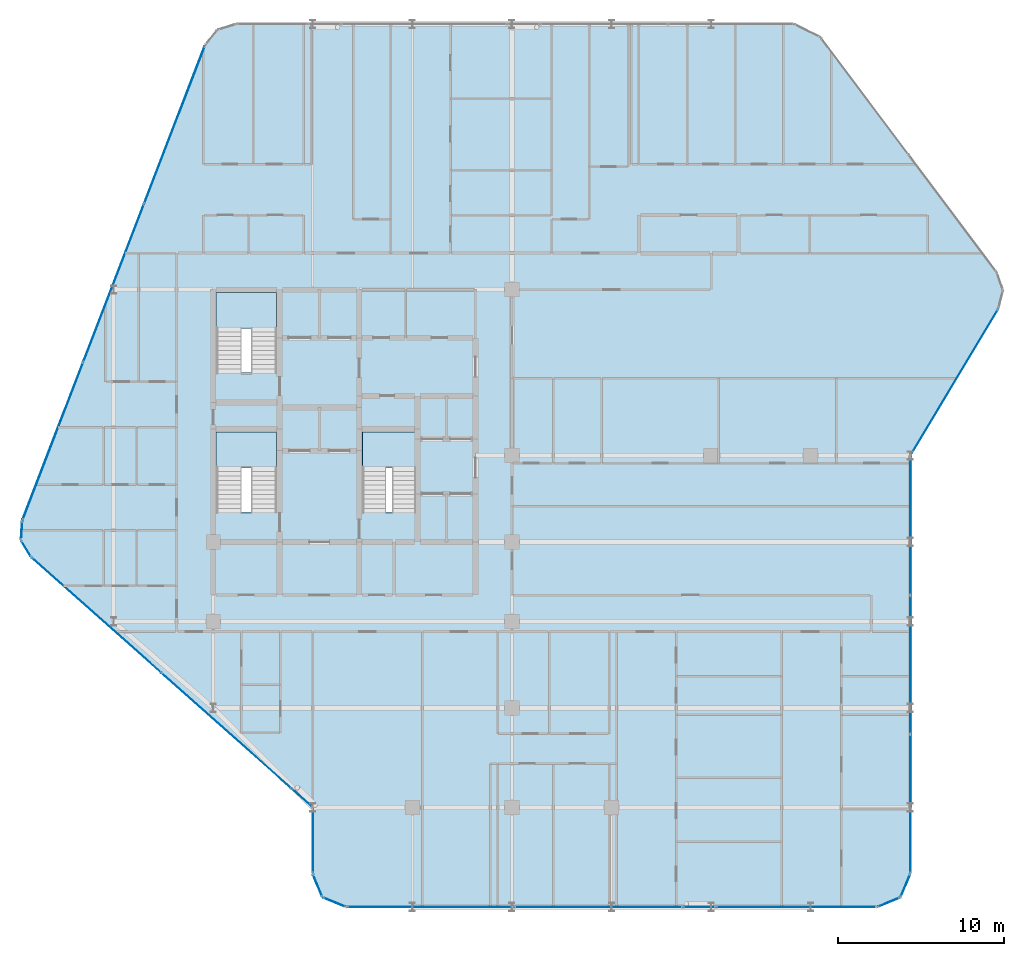
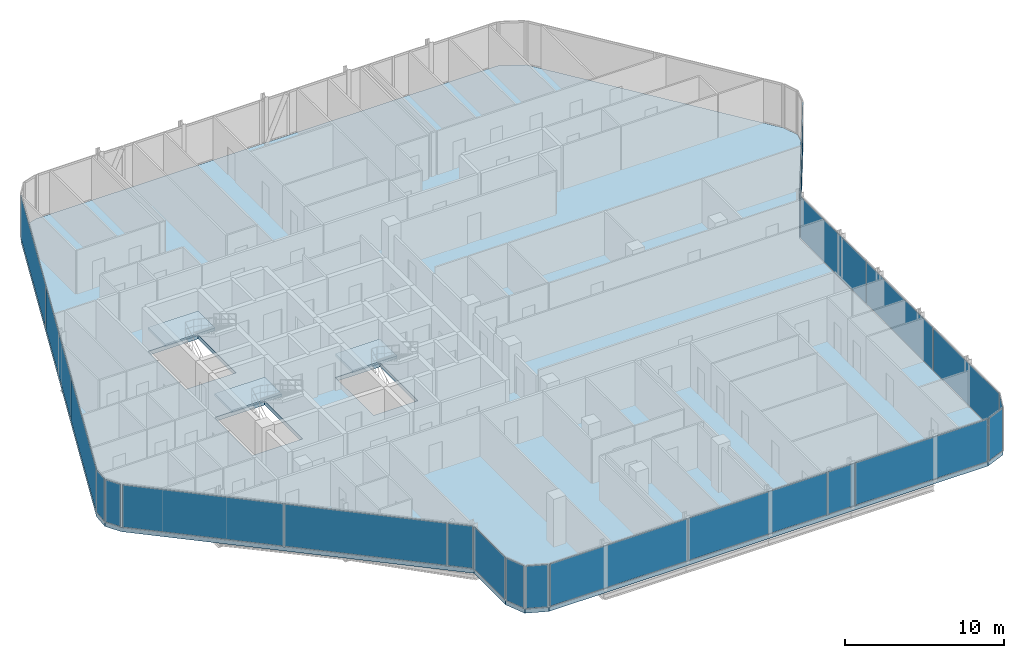
# One storey, part 23 of 31: 21 plates, 4 slabs, 18 elements without a shape of their own.
"""IFC4 building model written with IfcOpenShell, lengths in metres."""

from ifc_helpers import new_model, si_unit, direction, frame, origin, origin_2d, place, context, subcontext, project, spatial, polyline, rectangle, outline, extrude, material, layer, layer_set, type_object, element, aggregate, save


model = new_model("IFC4")

# Units and contexts
model_context = context("Model", 3, precision=1e-05, world=origin(), true_north=direction((0.0, 1.0)))
body_context = subcontext(model_context, "Body", "Model", "MODEL_VIEW")
ifc_project = project(units=[si_unit("LENGTHUNIT", "METRE"), si_unit("AREAUNIT", "SQUARE_METRE"), si_unit("VOLUMEUNIT", "CUBIC_METRE"), si_unit("PLANEANGLEUNIT", "RADIAN"), si_unit("MASSUNIT", "GRAM", prefix="KILO")], contexts=[model_context])

# Site, building, storey
site_placement = place(None, origin())
site = spatial("IfcSite", under=ifc_project, at=site_placement, CompositionType="ELEMENT")
building_placement = place(site_placement, origin())
building = spatial("IfcBuilding", under=site, at=building_placement, Name="Keshet Zoharim Tower", CompositionType="ELEMENT")
storey_placement = place(building_placement, frame((0.0, 0.0, 129.800048828125)))
storey = spatial("IfcBuildingStorey", under=building, at=storey_placement, Name="L31", CompositionType="ELEMENT", Elevation=129.800048828125)

# Curtain wall, plate
ifc_material_1 = material(Name="Aluminium 6063-T6", Category="aluminium")
ifc_layer_1 = layer(ifc_material_1, 0.159912109375)
ifc_layer_set_1 = layer_set([ifc_layer_1], Name="Aluminium 6063-T6")
curtain_wall_type = type_object("IfcCurtainWallType", Name="CW-SYS-03", PredefinedType="NOTDEFINED", material=ifc_layer_set_1)
curtain_wall_1_placement = place(storey_placement, origin())
curtain_wall_1 = element("IfcCurtainWall", 1, at=curtain_wall_1_placement, inside=storey, type_object=curtain_wall_type, Name="L31 Unitised Curtain Wall 01", PredefinedType="NOTDEFINED")
ifc_material_2 = material(Name="Insulated Low-E Clear Glass", Category="glass")
ifc_layer_2 = layer(ifc_material_2, 0.035888671875)
ifc_layer_set_2 = layer_set([ifc_layer_2], Name="Insulated Low-E Clear Glass")
plate_type_1 = type_object("IfcPlateType", Name="CWP-01", PredefinedType="CURTAIN_PANEL", material=ifc_layer_set_2)
plate_1_placement = place(storey_placement, frame((56.70703125, 1.992919921875, 0.06982421875), z_axis=(0.0, 0.0, 1.0), x_axis=(-0.382851849847, -0.92380975372, 0.0)))
plate_1 = element("IfcPlate", 2, at=plate_1_placement, type_object=plate_type_1, Name="CW-03 panel 1.1", PredefinedType="CURTAIN_PANEL", context=body_context, shape_type="SweptSolid", body=[
    extrude(rectangle(XDim=1.390625, YDim=0.035888671875, at=origin_2d()), origin(), (0.0, 0.0, 1.0), 3.2451171875),
])
aggregate(curtain_wall_1, [plate_1])

curtain_wall_2_placement = place(storey_placement, origin())
curtain_wall_2 = element("IfcCurtainWall", 3, at=curtain_wall_2_placement, inside=storey, type_object=curtain_wall_type, Name="L31 Unitised Curtain Wall 02", PredefinedType="NOTDEFINED")
plate_2_placement = place(storey_placement, frame((55.70703125, 0.992919921875, 0.06982421875), z_axis=(0.0, 0.0, 1.0), x_axis=(-0.92380975372, -0.382851849847, 0.0)))
plate_2 = element("IfcPlate", 4, at=plate_2_placement, type_object=plate_type_1, Name="CW-03 panel 1.1", PredefinedType="CURTAIN_PANEL", context=body_context, shape_type="SweptSolid", body=[
    extrude(rectangle(XDim=1.390625, YDim=0.035888671875, at=origin_2d()), origin(), (0.0, 0.0, 1.0), 3.2451171875),
])
aggregate(curtain_wall_2, [plate_2])

curtain_wall_3_placement = place(storey_placement, origin())
curtain_wall_3 = element("IfcCurtainWall", 5, at=curtain_wall_3_placement, inside=storey, type_object=curtain_wall_type, Name="L31 Unitised Curtain Wall 03", PredefinedType="NOTDEFINED")
plate_3_placement = place(storey_placement, frame((50.1240234375, 0.699951171875, 0.06982421875), z_axis=(0.0, 0.0, 1.0), x_axis=(-1.0, 0.0, 0.0)))
plate_3 = element("IfcPlate", 6, at=plate_3_placement, type_object=plate_type_1, Name="CW-03 panel 1.1", PredefinedType="CURTAIN_PANEL", context=body_context, shape_type="SweptSolid", body=[
    extrude(rectangle(XDim=9.61181640625, YDim=0.035888671875, at=origin_2d()), origin(), (0.0, 0.0, 1.0), 3.2451171875),
])
aggregate(curtain_wall_3, [plate_3])

# Curtain wall, plates
curtain_wall_4_placement = place(storey_placement, origin())
curtain_wall_4 = element("IfcCurtainWall", 7, at=curtain_wall_4_placement, inside=storey, type_object=curtain_wall_type, Name="L31 Unitised Curtain Wall 03 Part 3", PredefinedType="NOTDEFINED")
plate_4_placement = place(storey_placement, frame((38.20654296875, 0.699951171875, 0.06982421875), z_axis=(0.0, 0.0, 1.0), x_axis=(-1.0, 0.0, 0.0)))
plate_4 = element("IfcPlate", 8, at=plate_4_placement, type_object=plate_type_1, Name="CW-03 panel 1.1", PredefinedType="CURTAIN_PANEL", context=body_context, shape_type="SweptSolid", body=[
    extrude(rectangle(XDim=10.091064453125, YDim=0.035888671875, at=origin_2d()), origin(), (0.0, 0.0, 1.0), 3.2451171875),
])
plate_5_placement = place(storey_placement, frame((28.08056640625, 0.699951171875, 0.06982421875), z_axis=(0.0, 0.0, 1.0), x_axis=(-1.0, 0.0, 0.0)))
plate_5 = element("IfcPlate", 9, at=plate_5_placement, type_object=plate_type_1, Name="CW-03 panel 2.1", PredefinedType="CURTAIN_PANEL", context=body_context, shape_type="SweptSolid", body=[
    extrude(rectangle(XDim=10.02099609375, YDim=0.035888671875, at=origin_2d()), origin(), (0.0, 0.0, 1.0), 3.2451171875),
])
aggregate(curtain_wall_4, [plate_4, plate_5])

# Curtain wall, plate
curtain_wall_5_placement = place(storey_placement, origin())
curtain_wall_5 = element("IfcCurtainWall", 10, at=curtain_wall_5_placement, inside=storey, type_object=curtain_wall_type, Name="L31 Unitised Curtain Wall 04", PredefinedType="NOTDEFINED")
plate_6_placement = place(storey_placement, frame((22.29296875, 0.992919921875, 0.06982421875), z_axis=(0.0, 0.0, 1.0), x_axis=(-0.92380975372, 0.382851849847, 0.0)))
plate_6 = element("IfcPlate", 11, at=plate_6_placement, type_object=plate_type_1, Name="CW-03 panel 1.1", PredefinedType="CURTAIN_PANEL", context=body_context, shape_type="SweptSolid", body=[
    extrude(rectangle(XDim=1.390625, YDim=0.035888671875, at=origin_2d()), origin(), (0.0, 0.0, 1.0), 3.2451171875),
])
aggregate(curtain_wall_5, [plate_6])

curtain_wall_6_placement = place(storey_placement, origin())
curtain_wall_6 = element("IfcCurtainWall", 12, at=curtain_wall_6_placement, inside=storey, type_object=curtain_wall_type, Name="L31 Unitised Curtain Wall 05", PredefinedType="NOTDEFINED")
plate_7_placement = place(storey_placement, frame((21.29296875, 1.992919921875, 0.06982421875), z_axis=(0.0, 0.0, 1.0), x_axis=(-0.382851849847, 0.92380975372, 0.0)))
plate_7 = element("IfcPlate", 13, at=plate_7_placement, type_object=plate_type_1, Name="CW-03 panel 1.1", PredefinedType="CURTAIN_PANEL", context=body_context, shape_type="SweptSolid", body=[
    extrude(rectangle(XDim=1.390625, YDim=0.035888671875, at=origin_2d()), origin(), (0.0, 0.0, 1.0), 3.2451171875),
])
aggregate(curtain_wall_6, [plate_7])

curtain_wall_7_placement = place(storey_placement, origin())
curtain_wall_7 = element("IfcCurtainWall", 14, at=curtain_wall_7_placement, inside=storey, type_object=curtain_wall_type, Name="L31 Unitised Curtain Wall 06", PredefinedType="NOTDEFINED")
plate_8_placement = place(storey_placement, frame((21.0, 4.699951171875, 0.06982421875), z_axis=(0.0, 0.0, 1.0), x_axis=(0.0, 1.0, 0.0)))
plate_8 = element("IfcPlate", 15, at=plate_8_placement, type_object=plate_type_1, Name="CW-03 panel 1.1", PredefinedType="CURTAIN_PANEL", context=body_context, shape_type="SweptSolid", body=[
    extrude(rectangle(XDim=3.860107421875, YDim=0.035888671875, at=origin_2d()), origin(), (0.0, 0.0, 1.0), 3.2451171875),
])
aggregate(curtain_wall_7, [plate_8])

# Curtain wall, plates
curtain_wall_8_placement = place(storey_placement, origin())
curtain_wall_8 = element("IfcCurtainWall", 16, at=curtain_wall_8_placement, inside=storey, type_object=curtain_wall_type, Name="L31 Unitised Curtain Wall 07 Part 2", PredefinedType="NOTDEFINED")
plate_9_placement = place(storey_placement, frame((15.79296875, 11.328369140625, 0.06982421875), z_axis=(0.0, 0.0, 1.0), x_axis=(-0.747409582009, 0.664363542589, 0.0)))
plate_9 = element("IfcPlate", 17, at=plate_9_placement, type_object=plate_type_1, Name="CW-03 panel 1.1", PredefinedType="CURTAIN_PANEL", context=body_context, shape_type="SweptSolid", body=[
    extrude(rectangle(XDim=10.441162109375, YDim=0.035888671875, at=origin_2d()), origin(), (0.0, 0.0, 1.0), 3.2451171875),
])
plate_10_placement = place(storey_placement, frame((7.963134765625, 18.288330078125, 0.06982421875), z_axis=(0.0, 0.0, 1.0), x_axis=(-0.747409582009, 0.664363542589, 0.0)))
plate_10 = element("IfcPlate", 18, at=plate_10_placement, type_object=plate_type_1, Name="CW-03 panel 2.1", PredefinedType="CURTAIN_PANEL", context=body_context, shape_type="SweptSolid", body=[
    extrude(rectangle(XDim=10.37109375, YDim=0.035888671875, at=origin_2d()), origin(), (0.0, 0.0, 1.0), 3.2451171875),
])
aggregate(curtain_wall_8, [plate_9, plate_10])

# Curtain wall, plate
curtain_wall_9_placement = place(storey_placement, origin())
curtain_wall_9 = element("IfcCurtainWall", 19, at=curtain_wall_9_placement, inside=storey, type_object=curtain_wall_type, Name="L31 Unitised Curtain Wall 08", PredefinedType="NOTDEFINED")
plate_11_placement = place(storey_placement, frame((3.7275390625, 22.291015625, 0.06982421875), z_axis=(0.0, 0.0, 1.0), x_axis=(-0.515604947933, 0.856826433805, 0.0)))
plate_11 = element("IfcPlate", 20, at=plate_11_placement, type_object=plate_type_1, Name="CW-03 panel 1.1", PredefinedType="CURTAIN_PANEL", context=body_context, shape_type="SweptSolid", body=[
    extrude(rectangle(XDim=1.052734375, YDim=0.035888671875, at=origin_2d()), origin(), (0.0, 0.0, 1.0), 3.2451171875),
])
aggregate(curtain_wall_9, [plate_11])

curtain_wall_10_placement = place(storey_placement, origin())
curtain_wall_10 = element("IfcCurtainWall", 21, at=curtain_wall_10_placement, inside=storey, type_object=curtain_wall_type, Name="L31 Unitised Curtain Wall 09", PredefinedType="NOTDEFINED")
plate_12_placement = place(storey_placement, frame((3.45849609375, 23.3974609375, 0.06982421875), z_axis=(0.0, 0.0, 1.0), x_axis=(0.064516859374, 0.997916617186, 0.0)))
plate_12 = element("IfcPlate", 22, at=plate_12_placement, type_object=plate_type_1, Name="CW-03 panel 1.1", PredefinedType="CURTAIN_PANEL", context=body_context, shape_type="SweptSolid", body=[
    extrude(rectangle(XDim=1.053466796875, YDim=0.035888671875, at=origin_2d()), origin(), (0.0, 0.0, 1.0), 3.2451171875),
])
aggregate(curtain_wall_10, [plate_12])

# Curtain wall, plates
curtain_wall_11_placement = place(storey_placement, origin())
curtain_wall_11 = element("IfcCurtainWall", 23, at=curtain_wall_11_placement, inside=storey, type_object=curtain_wall_type, Name="L31 Unitised Curtain Wall 10", PredefinedType="NOTDEFINED")
plate_13_placement = place(storey_placement, frame((5.33837890625, 28.7802734375, 0.06982421875), z_axis=(0.0, 0.0, 1.0), x_axis=(0.358990003907, 0.933341404361, 0.0)))
plate_13 = element("IfcPlate", 24, at=plate_13_placement, type_object=plate_type_1, Name="CW-03 panel 1.1", PredefinedType="CURTAIN_PANEL", context=body_context, shape_type="SweptSolid", body=[
    extrude(rectangle(XDim=10.1181640625, YDim=0.035888671875, at=origin_2d()), origin(), (0.0, 0.0, 1.0), 3.2451171875),
])
plate_14_placement = place(storey_placement, frame((9.001953125, 38.305419921875, 0.06982421875), z_axis=(0.0, 0.0, 1.0), x_axis=(0.358990003907, 0.933341404361, 0.0)))
plate_14 = element("IfcPlate", 25, at=plate_14_placement, type_object=plate_type_1, Name="CW-03 panel 2.1", PredefinedType="CURTAIN_PANEL", context=body_context, shape_type="SweptSolid", body=[
    extrude(rectangle(XDim=10.153076171875, YDim=0.035888671875, at=origin_2d()), origin(), (0.0, 0.0, 1.0), 3.2451171875),
])
plate_15_placement = place(storey_placement, frame((12.665771484375, 47.830810546875, 0.06982421875), z_axis=(0.0, 0.0, 1.0), x_axis=(0.358990003907, 0.933341404361, 0.0)))
plate_15 = element("IfcPlate", 26, at=plate_15_placement, type_object=plate_type_1, Name="CW-03 panel 3.1", PredefinedType="CURTAIN_PANEL", context=body_context, shape_type="SweptSolid", body=[
    extrude(rectangle(XDim=10.1181640625, YDim=0.035888671875, at=origin_2d()), origin(), (0.0, 0.0, 1.0), 3.2451171875),
])
aggregate(curtain_wall_11, [plate_13, plate_14, plate_15])

# Curtain wall, plate
curtain_wall_12_placement = place(storey_placement, origin())
curtain_wall_12 = element("IfcCurtainWall", 27, at=curtain_wall_12_placement, inside=storey, type_object=curtain_wall_type, Name="L31 Unitised Curtain Wall 18", PredefinedType="NOTDEFINED")
plate_16_placement = place(storey_placement, frame((59.654052734375, 32.323486328125, 0.06982421875), z_axis=(0.0, 0.0, 1.0), x_axis=(-0.514481501576, -0.857501477862, 0.0)))
plate_16 = element("IfcPlate", 28, at=plate_16_placement, type_object=plate_type_1, Name="CW-03 panel 1.1", PredefinedType="CURTAIN_PANEL", context=body_context, shape_type="SweptSolid", body=[
    extrude(rectangle(XDim=10.17724609375, YDim=0.035888671875, at=origin_2d()), origin(), (0.0, 0.0, 1.0), 3.2451171875),
])
aggregate(curtain_wall_12, [plate_16])

# Curtain wall, plates
curtain_wall_13_placement = place(storey_placement, origin())
curtain_wall_13 = element("IfcCurtainWall", 29, at=curtain_wall_13_placement, inside=storey, type_object=curtain_wall_type, Name="L31 Unitised Curtain Wall 19", PredefinedType="NOTDEFINED")
ifc_layer_3 = layer(ifc_material_2, 0.031982421875)
ifc_layer_set_3 = layer_set([ifc_layer_3], Name="Insulated Low-E Clear Glass")
plate_type_2 = type_object("IfcPlateType", Name="CWP-02", PredefinedType="CURTAIN_PANEL", material=ifc_layer_set_3)
plate_17_placement = place(storey_placement, frame((57.0, 23.6826171875, 0.06982421875), z_axis=(0.0, 0.0, 1.0), x_axis=(0.0, -1.0, 0.0)))
plate_17 = element("IfcPlate", 30, at=plate_17_placement, type_object=plate_type_2, Name="CW-03 panel 1.1", PredefinedType="CURTAIN_PANEL", context=body_context, shape_type="SweptSolid", body=[
    extrude(rectangle(XDim=8.294921875, YDim=0.031982421875, at=origin_2d()), origin(), (0.0, 0.0, 1.0), 3.2451171875),
])
plate_18_placement = place(storey_placement, frame((57.0, 15.300048828125, 0.06982421875), z_axis=(0.0, 0.0, 1.0), x_axis=(0.0, -1.0, 0.0)))
plate_18 = element("IfcPlate", 31, at=plate_18_placement, type_object=plate_type_2, Name="CW-03 panel 2.1", PredefinedType="CURTAIN_PANEL", context=body_context, shape_type="SweptSolid", body=[
    extrude(rectangle(XDim=8.330078125, YDim=0.031982421875, at=origin_2d()), origin(), (0.0, 0.0, 1.0), 3.2451171875),
])
plate_19_placement = place(storey_placement, frame((57.0, 6.91748046875, 0.06982421875), z_axis=(0.0, 0.0, 1.0), x_axis=(0.0, -1.0, 0.0)))
plate_19 = element("IfcPlate", 32, at=plate_19_placement, type_object=plate_type_2, Name="CW-03 panel 3.1", PredefinedType="CURTAIN_PANEL", context=body_context, shape_type="SweptSolid", body=[
    extrude(rectangle(XDim=8.294921875, YDim=0.031982421875, at=origin_2d()), origin(), (0.0, 0.0, 1.0), 3.2451171875),
])
aggregate(curtain_wall_13, [plate_17, plate_18, plate_19])

# Curtain wall, plate
curtain_wall_14_placement = place(storey_placement, origin())
curtain_wall_14 = element("IfcCurtainWall", 33, at=curtain_wall_14_placement, inside=storey, type_object=curtain_wall_type, Name="L31 Unitised Curtain Wall 03 Part 2", PredefinedType="NOTDEFINED")
ifc_material_3 = material(Name="Insulated Aluminium Spandrel Panel", Category="aluminium")
ifc_layer_4 = layer(ifc_material_3, 0.035888671875)
ifc_layer_set_4 = layer_set([ifc_layer_4], Name="Insulated Aluminium Spandrel Panel")
plate_type_3 = type_object("IfcPlateType", Name="CWP-04", PredefinedType="CURTAIN_PANEL", material=ifc_layer_set_4)
plate_20_placement = place(storey_placement, frame((44.284912109375, 0.699951171875, 0.06982421875), z_axis=(0.0, 0.0, 1.0), x_axis=(-1.0, 0.0, 0.0)))
plate_20 = element("IfcPlate", 34, at=plate_20_placement, type_object=plate_type_3, Name="CW-03 spandrel panel 1.1", PredefinedType="CURTAIN_PANEL", context=body_context, shape_type="SweptSolid", body=[
    extrude(rectangle(XDim=1.92626953125, YDim=0.035888671875, at=origin_2d()), origin(), (0.0, 0.0, 1.0), 3.2451171875),
])
aggregate(curtain_wall_14, [plate_20])

curtain_wall_15_placement = place(storey_placement, origin())
curtain_wall_15 = element("IfcCurtainWall", 35, at=curtain_wall_15_placement, inside=storey, type_object=curtain_wall_type, Name="L31 Unitised Curtain Wall 07", PredefinedType="NOTDEFINED")
plate_21_placement = place(storey_placement, frame((20.347412109375, 7.280029296875, 0.06982421875), z_axis=(0.0, 0.0, 1.0), x_axis=(-0.747406159057, 0.664367393393, 0.0)))
plate_21 = element("IfcPlate", 36, at=plate_21_placement, type_object=plate_type_3, Name="CW-03 spandrel panel 1.1", PredefinedType="CURTAIN_PANEL", context=body_context, shape_type="SweptSolid", body=[
    extrude(rectangle(XDim=1.606201171875, YDim=0.035888671875, at=origin_2d()), origin(), (0.0, 0.0, 1.0), 3.2451171875),
])
aggregate(curtain_wall_15, [plate_21])

# Stair, slab
ifc_material_4 = material(Name="Concrete C50/60", Category="concrete")
stair_type = type_object("IfcStairType", Name="STR-EXIT-135", PredefinedType="HALF_TURN_STAIR", material=ifc_material_4)
stair_1_placement = place(storey_placement, origin())
stair_1 = element("IfcStair", 37, at=stair_1_placement, inside=storey, type_object=stair_type, Name="L31 Enclosed Exit Stair ST-01", PredefinedType="HALF_TURN_STAIR")
ifc_layer_5 = layer(ifc_material_4, 0.199951171875)
ifc_layer_set_5 = layer_set([ifc_layer_5], Name="Concrete C50/60")
slab_type_1 = type_object("IfcSlabType", Name="SLB-LND-200", PredefinedType="LANDING", material=ifc_layer_set_5)
slab_1_placement = place(storey_placement, frame((0.0, 0.0, 1.64990234375)))
slab_1 = element("IfcSlab", 38, at=slab_1_placement, type_object=slab_type_1, Name="ST-01 landing 1", PredefinedType="LANDING", context=body_context, shape_type="SweptSolid", body=[
    extrude(outline(polyline([(15.179931640625, 27.159912109375), (18.820068359375, 27.159912109375), (18.820068359375, 29.320068359375), (15.179931640625, 29.320068359375), (15.179931640625, 27.159912109375)])), origin(), (0.0, 0.0, 1.0), 0.199951171875),
])
aggregate(stair_1, [slab_1])

stair_2_placement = place(storey_placement, origin())
stair_2 = element("IfcStair", 39, at=stair_2_placement, inside=storey, type_object=stair_type, Name="L31 Enclosed Exit Stair ST-02", PredefinedType="HALF_TURN_STAIR")
slab_2_placement = place(storey_placement, frame((0.0, 0.0, 1.64990234375)))
slab_2 = element("IfcSlab", 40, at=slab_2_placement, type_object=slab_type_1, Name="ST-02 landing 1", PredefinedType="LANDING", context=body_context, shape_type="SweptSolid", body=[
    extrude(outline(polyline([(15.179931640625, 35.56005859375), (18.820068359375, 35.56005859375), (18.820068359375, 37.719970703125), (15.179931640625, 37.719970703125), (15.179931640625, 35.56005859375)])), origin(), (0.0, 0.0, 1.0), 0.199951171875),
])
aggregate(stair_2, [slab_2])

stair_3_placement = place(storey_placement, origin())
stair_3 = element("IfcStair", 41, at=stair_3_placement, inside=storey, type_object=stair_type, Name="L31 Enclosed Exit Stair ST-03", PredefinedType="HALF_TURN_STAIR")
slab_3_placement = place(storey_placement, frame((0.0, 0.0, 1.64990234375)))
slab_3 = element("IfcSlab", 42, at=slab_3_placement, type_object=slab_type_1, Name="ST-03 landing 1", PredefinedType="LANDING", context=body_context, shape_type="SweptSolid", body=[
    extrude(outline(polyline([(23.97998046875, 27.159912109375), (27.219970703125, 27.159912109375), (27.219970703125, 29.320068359375), (23.97998046875, 29.320068359375), (23.97998046875, 27.159912109375)])), origin(), (0.0, 0.0, 1.0), 0.199951171875),
])
aggregate(stair_3, [slab_3])

# Slab
ifc_layer_6 = layer(ifc_material_4, 0.31494140625)
ifc_layer_set_6 = layer_set([ifc_layer_6], Name="Concrete C50/60")
slab_type_2 = type_object("IfcSlabType", Name="SLB-LOW-260", PredefinedType="FLOOR", material=ifc_layer_set_6)
slab_4_placement = place(storey_placement, frame((0.0, 0.0, -0.31494140625)))
element("IfcSlab", 43, at=slab_4_placement, inside=storey, type_object=slab_type_2, Name="L31 Structural Floor Slab 1", PredefinedType="FLOOR", context=body_context, shape_type="SweptSolid", body=[
    extrude(outline(polyline([(57.0, 2.699951171875), (56.4140625, 1.285888671875), (55.0, 0.699951171875), (23.0, 0.699951171875), (21.5859375, 1.285888671875), (21.0, 2.699951171875), (21.0, 6.699951171875), (4.034912109375, 21.780029296875), (3.419921875, 22.802001953125), (3.4970703125, 23.992919921875), (14.507080078125, 52.617919921875), (15.240966796875, 53.549072265625), (16.3740234375, 53.89990234375), (50.0, 53.89990234375), (51.60009765625, 53.10009765625), (62.193115234375, 38.97607421875), (62.590087890625, 37.87890625), (62.30810546875, 36.7470703125), (57.0, 27.89990234375), (57.0, 2.699951171875)]), holes=[polyline([(15.179931640625, 24.52001953125), (18.820068359375, 24.52001953125), (18.820068359375, 29.320068359375), (15.179931640625, 29.320068359375), (15.179931640625, 24.52001953125)]), polyline([(15.179931640625, 32.919921875), (18.820068359375, 32.919921875), (18.820068359375, 37.719970703125), (15.179931640625, 37.719970703125), (15.179931640625, 32.919921875)]), polyline([(23.97998046875, 24.52001953125), (27.219970703125, 24.52001953125), (27.219970703125, 29.320068359375), (23.97998046875, 29.320068359375), (23.97998046875, 24.52001953125)])]), origin(), (0.0, 0.0, 1.0), 0.31494140625),
])

save(model, "model.ifc")
